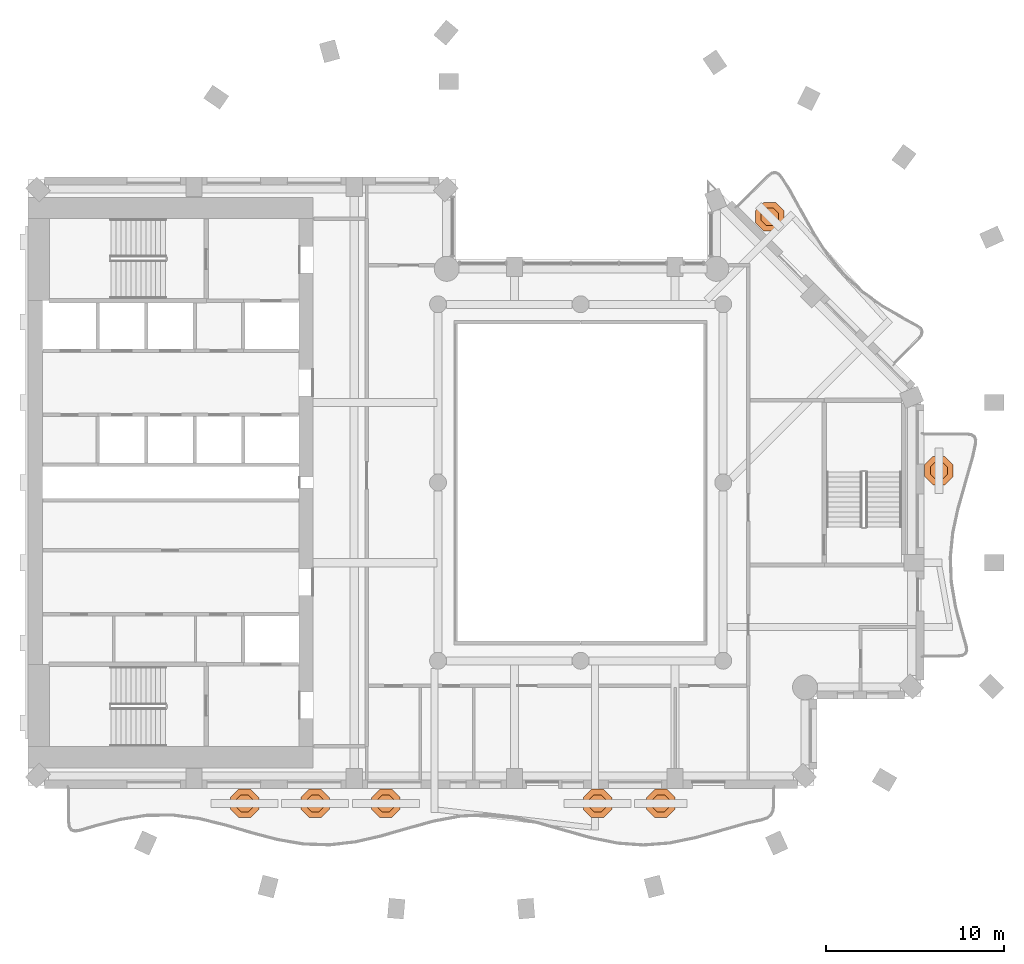
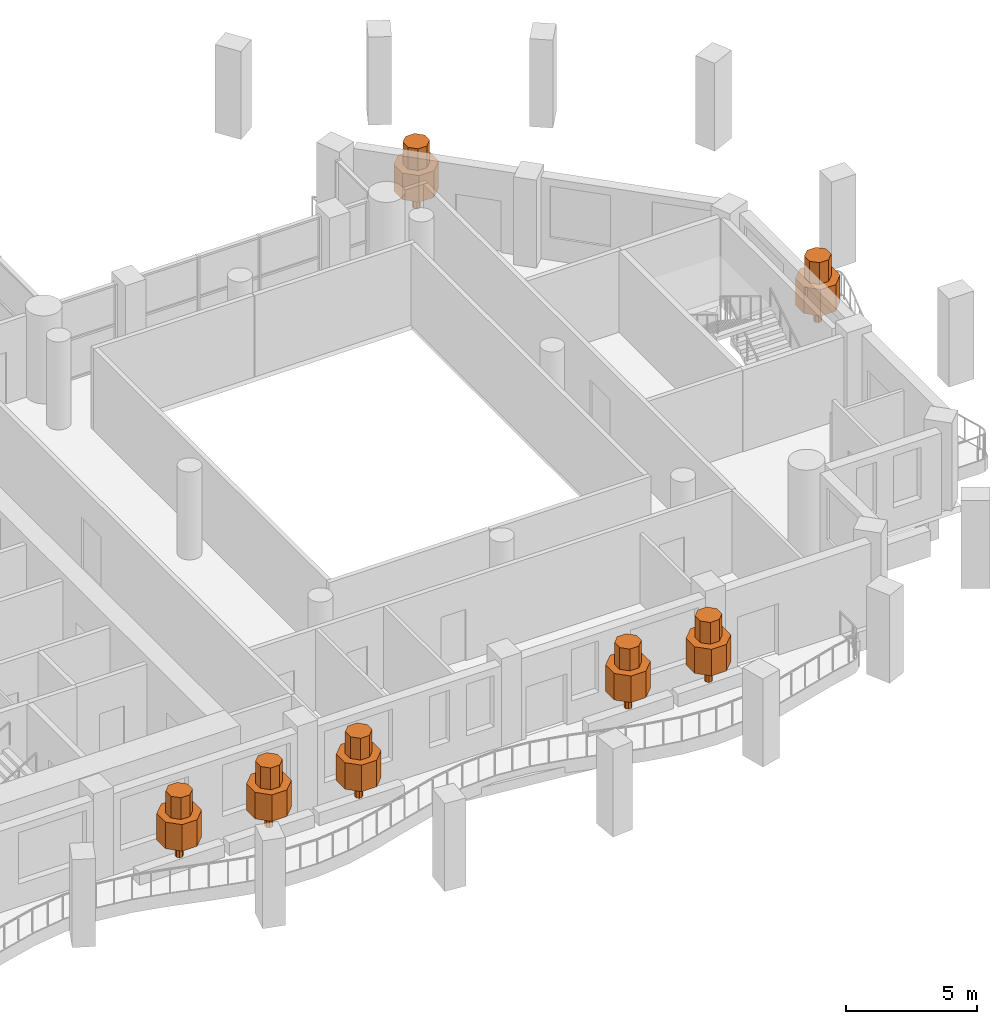
# One storey, part 14 of 14: 7 geographic elements.
"""IFC4 building model written with IfcOpenShell, lengths in metres."""

from ifc_helpers import new_model, si_unit, direction, frame, origin, place, context, subcontext, project, spatial, polyline, outline, extrude, material, type_object, element, save


model = new_model("IFC4")

# Units and contexts
model_context = context("Model", 3, precision=1e-05, world=origin(), true_north=direction((0.0, 1.0)))
body_context = subcontext(model_context, "Body", "Model", "MODEL_VIEW")
ifc_project = project(units=[si_unit("LENGTHUNIT", "METRE"), si_unit("AREAUNIT", "SQUARE_METRE"), si_unit("VOLUMEUNIT", "CUBIC_METRE"), si_unit("PLANEANGLEUNIT", "RADIAN"), si_unit("MASSUNIT", "GRAM", prefix="KILO")], contexts=[model_context])

# Site, building, storey
site_placement = place(None, origin())
site = spatial("IfcSite", under=ifc_project, at=site_placement, CompositionType="ELEMENT")
building_placement = place(site_placement, origin())
building = spatial("IfcBuilding", under=site, at=building_placement, Name="Cypress Arch Tower", CompositionType="ELEMENT")
storey_placement = place(building_placement, frame((0.0, 0.0, 226.10009765625)))
storey = spatial("IfcBuildingStorey", under=building, at=storey_placement, Name="L50", CompositionType="ELEMENT", Elevation=226.10009765625)

# Geographic elements
ifc_material = material(Name="Foliage and planting")
geographic_element_type = type_object("IfcGeographicElementType", Name="Balcony tree TR", PredefinedType="USERDEFINED", material=ifc_material)
for number, where, z_axis, x_axis, name in (
    (1, (-17.85009765625, -18.0, 0.599853515625), (0.0, 0.0, 1.0), (1.0, 0.0, 0.0), "Balcony tree L50-B01.1"),
    (2, (-13.889892578125, -18.0, 0.599853515625), (0.0, 0.0, 1.0), (1.0, 0.0, 0.0), "Balcony tree L50-B01.2"),
    (3, (-9.929931640625, -18.0, 0.599853515625), (0.0, 0.0, 1.0), (1.0, 0.0, 0.0), "Balcony tree L50-B01.3"),
    (4, (1.949951171875, -18.0, 0.599853515625), (0.0, 0.0, 1.0), (1.0, 0.0, 0.0), "Balcony tree L50-B01.4"),
    (5, (5.50244140625, -18.0, 0.599853515625), (0.0, 0.0, 1.0), (1.0, 0.0, 0.0), "Balcony tree L50-B01.5"),
    (6, (21.10009765625, 0.666748046875, 0.599853515625), (0.0, 0.0, 1.0), (1.0, 0.0, 0.0), "Balcony tree L50-B04.1"),
    (7, (11.607177734375, 14.906982421875, 0.599853515625), (0.0, 0.0, 1.0), (1.0, 0.0, 0.0), "Balcony tree L50-B05.1"),
):
    element("IfcGeographicElement", number, at=place(storey_placement, frame(where, z_axis=z_axis, x_axis=x_axis)), inside=storey, type_object=geographic_element_type, Name=name, ObjectType="TREE", PredefinedType="USERDEFINED", context=body_context, shape_type="SweptSolid", body=[
        extrude(outline(polyline([(0.14990234375, 0.06201171875), (0.06201171875, 0.14990234375), (-0.06201171875, 0.14990234375), (-0.14990234375, 0.06201171875), (-0.14990234375, -0.06201171875), (-0.06201171875, -0.14990234375), (0.06201171875, -0.14990234375), (0.14990234375, -0.06201171875), (0.14990234375, 0.06201171875)])), origin(), (0.0, 0.0, 1.0), 0.89990234375),
        extrude(outline(polyline([(0.800048828125, 0.331298828125), (0.331298828125, 0.800048828125), (-0.331298828125, 0.800048828125), (-0.800048828125, 0.331298828125), (-0.800048828125, -0.331298828125), (-0.331298828125, -0.800048828125), (0.331298828125, -0.800048828125), (0.800048828125, -0.331298828125), (0.800048828125, 0.331298828125)])), frame((0.0, 0.0, 0.800048828125)), (0.0, 0.0, 1.0), 1.237548828125),
        extrude(outline(polyline([(0.47998046875, 0.19873046875), (0.19873046875, 0.47998046875), (-0.19873046875, 0.47998046875), (-0.47998046875, 0.19873046875), (-0.47998046875, -0.19873046875), (-0.19873046875, -0.47998046875), (0.19873046875, -0.47998046875), (0.47998046875, -0.19873046875), (0.47998046875, 0.19873046875)])), frame((0.0, 0.0, 2.03759765625)), (0.0, 0.0, 1.0), 1.012451171875),
    ])

save(model, "model.ifc")
